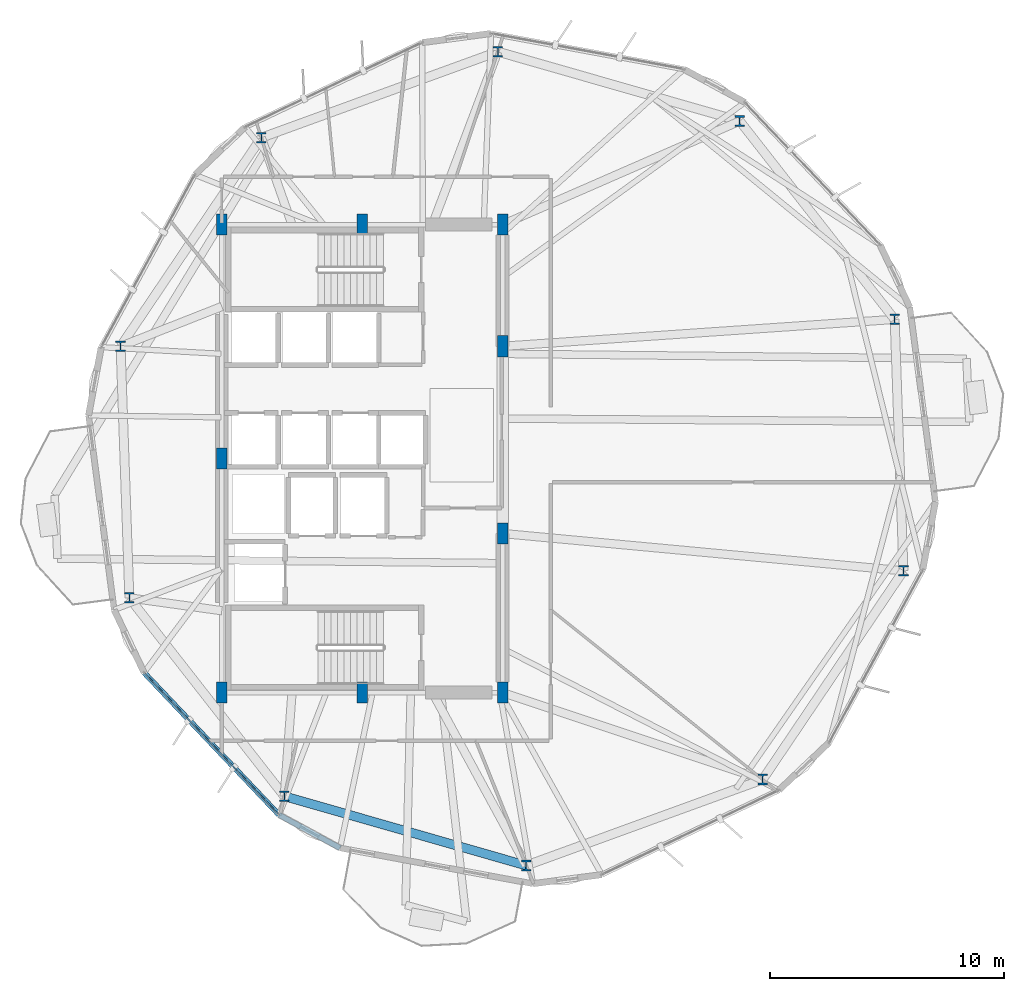
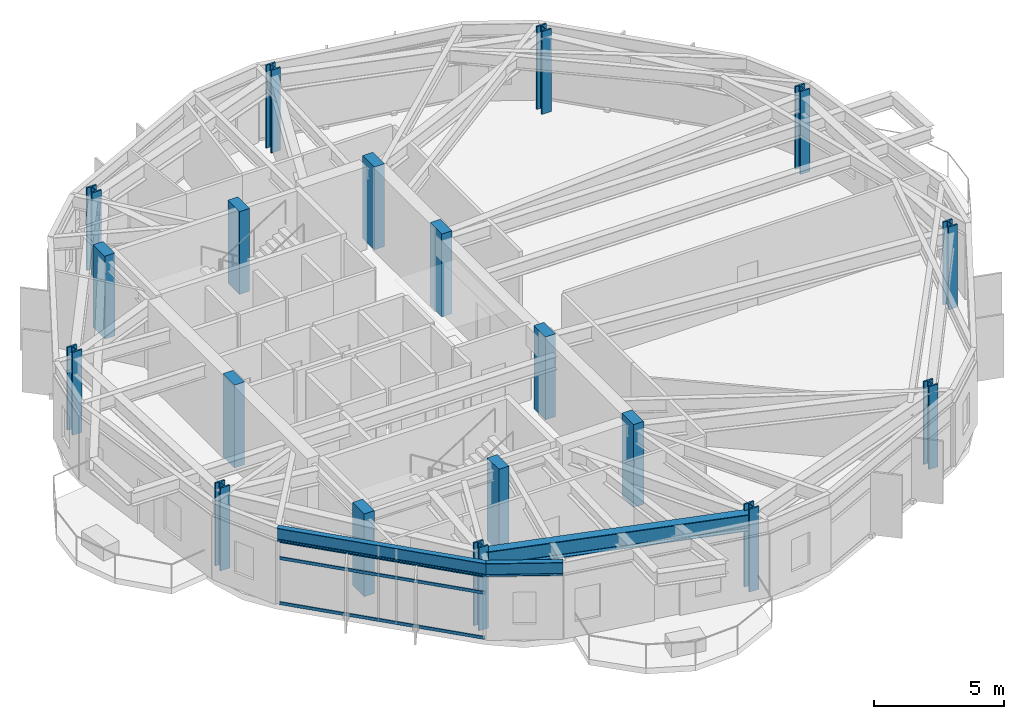
# One storey, part 1 of 25: 19 columns, 3 beams, 3 members, 1 element without a shape of its own.
"""IFC4 building model written with IfcOpenShell, lengths in metres."""

from ifc_helpers import new_model, si_unit, direction, frame, origin, origin_2d, place, context, subcontext, project, spatial, rectangle, hollow_rectangle, i_section, extrude, material, layer, layer_set, material_profile, profile_set, type_object, element, aggregate, save


model = new_model("IFC4")

# Units and contexts
model_context = context("Model", 3, precision=1e-05, world=origin(), true_north=direction((0.0, 1.0)))
body_context = subcontext(model_context, "Body", "Model", "MODEL_VIEW")
ifc_project = project(units=[si_unit("LENGTHUNIT", "METRE"), si_unit("AREAUNIT", "SQUARE_METRE"), si_unit("VOLUMEUNIT", "CUBIC_METRE"), si_unit("PLANEANGLEUNIT", "RADIAN"), si_unit("MASSUNIT", "GRAM", prefix="KILO")], contexts=[model_context])

# Site, building, storey
site_placement = place(None, origin())
site = spatial("IfcSite", under=ifc_project, at=site_placement, CompositionType="ELEMENT")
building_placement = place(site_placement, origin())
building = spatial("IfcBuilding", under=site, at=building_placement, Name="Soratama Intermodal Tower", CompositionType="ELEMENT")
storey_placement = place(building_placement, frame((0.0, 0.0, 126.39990234375)))
storey = spatial("IfcBuildingStorey", under=building, at=storey_placement, Name="L30", CompositionType="ELEMENT", Elevation=126.39990234375)

# Columns
ifc_material_1 = material(Name="Structural steel ASTM A992 Grade 50", Category="steel")
ifc_material_profile_1 = material_profile(ifc_material_1, i_section(OverallWidth=0.41796875, OverallDepth=0.455078125, WebThickness=0.0419921875, FlangeThickness=0.067626953125, FilletRadius=0.0380859375, at=origin_2d()), Name="W14X370")
ifc_profile_set_1 = profile_set([ifc_material_profile_1], Name="Structural steel ASTM A992 Grade 50")
column_type_1 = type_object("IfcColumnType", Name="COL-ZB-W14X370", PredefinedType="COLUMN", material=ifc_profile_set_1)
for number, where, z_axis, x_axis, name in (
    (1, (61.3505859375, 30.951171875, 0.0), (0.0, 0.0, 1.0), (1.0, 0.0, 0.0), "L30 Tower Ring Column R01"),
    (2, (54.72998046875, 39.42529296875, 0.0), (0.0, 0.0, 1.0), (1.0, 0.0, 0.0), "L30 Tower Ring Column R02"),
    (3, (44.392578125, 42.389404296875, 0.0), (0.0, 0.0, 1.0), (1.0, 0.0, 0.0), "L30 Tower Ring Column R03"),
    (4, (34.28759765625, 38.71142578125, 0.0), (0.0, 0.0, 1.0), (1.0, 0.0, 0.0), "L30 Tower Ring Column R04"),
    (5, (28.27392578125, 29.796142578125, 0.0), (0.0, 0.0, 1.0), (1.0, 0.0, 0.0), "L30 Tower Ring Column R05"),
    (6, (28.6494140625, 19.048828125, 0.0), (0.0, 0.0, 1.0), (1.0, 0.0, 0.0), "L30 Tower Ring Column R06"),
    (7, (35.27001953125, 10.57470703125, 0.0), (0.0, 0.0, 1.0), (1.0, 0.0, 0.0), "L30 Tower Ring Column R07"),
    (8, (45.607421875, 7.610595703125, 0.0), (0.0, 0.0, 1.0), (1.0, 0.0, 0.0), "L30 Tower Ring Column R08"),
    (9, (55.71240234375, 11.28857421875, 0.0), (0.0, 0.0, 1.0), (1.0, 0.0, 0.0), "L30 Tower Ring Column R09"),
    (10, (61.72607421875, 20.203857421875, 0.0), (0.0, 0.0, 1.0), (1.0, 0.0, 0.0), "L30 Tower Ring Column R10"),
):
    element("IfcColumn", number, at=place(storey_placement, frame(where, z_axis=z_axis, x_axis=x_axis)), inside=storey, type_object=column_type_1, Name=name, PredefinedType="COLUMN", context=body_context, shape_type="SweptSolid", body=[
        extrude(i_section(OverallWidth=0.41796875, OverallDepth=0.455078125, WebThickness=0.0419921875, FlangeThickness=0.067626953125, FilletRadius=0.0380859375, at=origin_2d()), origin(), (0.0, 0.0, 1.0), 3.900146484375),
    ])
ifc_material_2 = material(Name="Concrete f'c 56 MPa", Category="concrete")
ifc_material_profile_2 = material_profile(ifc_material_2, rectangle(XDim=0.449951171875, YDim=0.89990234375, at=origin_2d()), Name="RC450X900")
ifc_profile_set_2 = profile_set([ifc_material_profile_2], Name="Concrete f'c 56 MPa")
column_type_2 = type_object("IfcColumnType", Name="PIL-CORE-450X900", PredefinedType="PILASTER", material=ifc_profile_set_2)
for number, where, z_axis, x_axis, name in (
    (11, (32.60009765625, 15.0, 0.0), (0.0, 0.0, 1.0), (1.0, 0.0, 0.0), "L30 Core Pilaster 1"),
    (12, (32.60009765625, 25.0, 0.0), (0.0, 0.0, 1.0), (1.0, 0.0, 0.0), "L30 Core Pilaster 2"),
    (13, (32.60009765625, 35.0, 0.0), (0.0, 0.0, 1.0), (1.0, 0.0, 0.0), "L30 Core Pilaster 3"),
    (14, (38.60009765625, 15.0, 0.0), (0.0, 0.0, 1.0), (1.0, 0.0, 0.0), "L30 Core Pilaster 4"),
    (15, (38.60009765625, 35.0, 0.0), (0.0, 0.0, 1.0), (1.0, 0.0, 0.0), "L30 Core Pilaster 5"),
    (16, (44.60009765625, 15.0, 0.0), (0.0, 0.0, 1.0), (1.0, 0.0, 0.0), "L30 Core Pilaster 6"),
    (17, (44.60009765625, 21.800048828125, 0.0), (0.0, 0.0, 1.0), (1.0, 0.0, 0.0), "L30 Core Pilaster 7"),
    (18, (44.60009765625, 29.800048828125, 0.0), (0.0, 0.0, 1.0), (1.0, 0.0, 0.0), "L30 Core Pilaster 8"),
    (19, (44.60009765625, 35.0, 0.0), (0.0, 0.0, 1.0), (1.0, 0.0, 0.0), "L30 Core Pilaster 9"),
):
    element("IfcColumn", number, at=place(storey_placement, frame(where, z_axis=z_axis, x_axis=x_axis)), inside=storey, type_object=column_type_2, Name=name, PredefinedType="PILASTER", context=body_context, shape_type="SweptSolid", body=[
        extrude(rectangle(XDim=0.449951171875, YDim=0.89990234375, at=origin_2d()), origin(), (0.0, 0.0, 1.0), 3.900146484375),
    ])

# Beams
ifc_material_3 = material(Name="Structural steel ASTM A992 Grade 50", Category="steel")
ifc_material_profile_3 = material_profile(ifc_material_3, i_section(OverallWidth=0.382080078125, OverallDepth=0.779052734375, WebThickness=0.01806640625, FlangeThickness=0.030029296875, FilletRadius=0.01806640625, at=origin_2d()), Name="W30X191")
ifc_profile_set_3 = profile_set([ifc_material_profile_3], Name="Structural steel ASTM A992 Grade 50")
beam_type_1 = type_object("IfcBeamType", Name="BM-RING-W30X191", PredefinedType="BEAM", material=ifc_profile_set_3)
beam_1_placement = place(storey_placement, frame((35.27001953125, 10.574951171875, 3.210693359375), z_axis=(0.961266505995, -0.275620580604, 0.0), x_axis=(0.275620580604, 0.961266505995, 0.0)))
element("IfcBeam", 20, at=beam_1_placement, inside=storey, type_object=beam_type_1, Name="BM-L30-RING-07", PredefinedType="BEAM", context=body_context, shape_type="SweptSolid", body=[
    extrude(i_section(OverallWidth=0.382080078125, OverallDepth=0.779052734375, WebThickness=0.01806640625, FlangeThickness=0.030029296875, FilletRadius=0.01806640625, at=origin_2d()), origin(), (0.0, 0.0, 1.0), 10.75341796875),
])
ifc_material_4 = material(Name="Structural steel ASTM A992 Grade 50", Category="steel")
ifc_material_profile_4 = material_profile(ifc_material_4, i_section(OverallWidth=0.22900390625, OverallDepth=0.612060546875, WebThickness=0.011962890625, FlangeThickness=0.01953125, FilletRadius=0.012939453125, at=origin_2d()), Name="W24X84")
ifc_profile_set_4 = profile_set([ifc_material_profile_4], Name="Structural steel ASTM A992 Grade 50")
beam_type_2 = type_object("IfcBeamType", Name="BM-SPN-W24X84", PredefinedType="SPANDREL", material=ifc_profile_set_4)
beam_2_placement = place(storey_placement, frame((29.27490234375, 15.85595703125, 3.294189453125), z_axis=(0.688372818346, -0.725357058946, 0.0), x_axis=(0.725357058946, 0.688372818346, 0.0)))
element("IfcBeam", 21, at=beam_2_placement, inside=storey, type_object=beam_type_2, Name="BS-L30-F06", PredefinedType="SPANDREL", context=body_context, shape_type="SweptSolid", body=[
    extrude(i_section(OverallWidth=0.22900390625, OverallDepth=0.612060546875, WebThickness=0.011962890625, FlangeThickness=0.01953125, FilletRadius=0.012939453125, at=origin_2d()), origin(), (0.0, 0.0, 1.0), 8.383544921875),
])
beam_3_placement = place(storey_placement, frame((35.0458984375, 9.77490234375, 3.294189453125), z_axis=(0.878755819251, -0.477271631394, 0.0), x_axis=(0.477271631394, 0.878755819251, 0.0)))
element("IfcBeam", 22, at=beam_3_placement, inside=storey, type_object=beam_type_2, Name="BS-L30-CRN06", PredefinedType="SPANDREL", context=body_context, shape_type="SweptSolid", body=[
    extrude(i_section(OverallWidth=0.22900390625, OverallDepth=0.612060546875, WebThickness=0.011962890625, FlangeThickness=0.01953125, FilletRadius=0.012939453125, at=origin_2d()), origin(), (0.0, 0.0, 1.0), 2.966796875),
])

# Curtain wall, members
ifc_material_5 = material(Name="Double-glazed aluminium curtain wall", Category="aluminium")
ifc_layer = layer(ifc_material_5, 0.159912109375)
ifc_layer_set = layer_set([ifc_layer], Name="Double-glazed aluminium curtain wall")
curtain_wall_type = type_object("IfcCurtainWallType", Name="CW-SYS-3", PredefinedType="NOTDEFINED", material=ifc_layer_set)
curtain_wall_placement = place(storey_placement, origin())
curtain_wall = element("IfcCurtainWall", 23, at=curtain_wall_placement, inside=storey, type_object=curtain_wall_type, Name="L30 Faceted Curtain Wall F06", PredefinedType="NOTDEFINED")
ifc_material_6 = material(Name="Anodised aluminium AA 6063-T6", Category="aluminium")
ifc_material_profile_5 = material_profile(ifc_material_6, hollow_rectangle(XDim=0.06494140625, YDim=0.14990234375, WallThickness=0.0048828125, InnerFilletRadius=0.0048828125, OuterFilletRadius=0.010009765625, at=origin_2d()), Name="CWT150X65X5")
ifc_profile_set_5 = profile_set([ifc_material_profile_5], Name="Anodised aluminium AA 6063-T6")
member_type = type_object("IfcMemberType", Name="TT-CWT-1", PredefinedType="USERDEFINED", material=ifc_profile_set_5)
member_1_placement = place(storey_placement, frame((29.316162109375, 15.8125, 0.030029296875), z_axis=(0.688354917038, -0.725374047089, 0.0), x_axis=(0.725374047089, 0.688354917038, 0.0)))
member_1 = element("IfcMember", 24, at=member_1_placement, type_object=member_type, Name="CW-3 transom 1.1", ObjectType="TRANSOM", PredefinedType="USERDEFINED", context=body_context, shape_type="SweptSolid", body=[
    extrude(hollow_rectangle(XDim=0.06494140625, YDim=0.14990234375, WallThickness=0.0048828125, InnerFilletRadius=0.0048828125, OuterFilletRadius=0.010009765625, at=origin_2d()), origin(), (0.0, 0.0, 1.0), 8.263427734375),
])
member_2_placement = place(storey_placement, frame((29.316162109375, 15.8125, 2.150146484375), z_axis=(0.688354917038, -0.725374047089, 0.0), x_axis=(0.725374047089, 0.688354917038, 0.0)))
member_2 = element("IfcMember", 25, at=member_2_placement, type_object=member_type, Name="CW-3 transom 1.2", ObjectType="TRANSOM", PredefinedType="USERDEFINED", context=body_context, shape_type="SweptSolid", body=[
    extrude(hollow_rectangle(XDim=0.06494140625, YDim=0.14990234375, WallThickness=0.0048828125, InnerFilletRadius=0.0048828125, OuterFilletRadius=0.010009765625, at=origin_2d()), origin(), (0.0, 0.0, 1.0), 8.263427734375),
])
member_3_placement = place(storey_placement, frame((29.316162109375, 15.8125, 2.94921875), z_axis=(0.688354917038, -0.725374047089, 0.0), x_axis=(0.725374047089, 0.688354917038, 0.0)))
member_3 = element("IfcMember", 26, at=member_3_placement, type_object=member_type, Name="CW-3 transom 1.3", ObjectType="TRANSOM", PredefinedType="USERDEFINED", context=body_context, shape_type="SweptSolid", body=[
    extrude(hollow_rectangle(XDim=0.06494140625, YDim=0.14990234375, WallThickness=0.0048828125, InnerFilletRadius=0.0048828125, OuterFilletRadius=0.010009765625, at=origin_2d()), origin(), (0.0, 0.0, 1.0), 8.263427734375),
])
aggregate(curtain_wall, [member_1, member_2, member_3])

save(model, "model.ifc")
